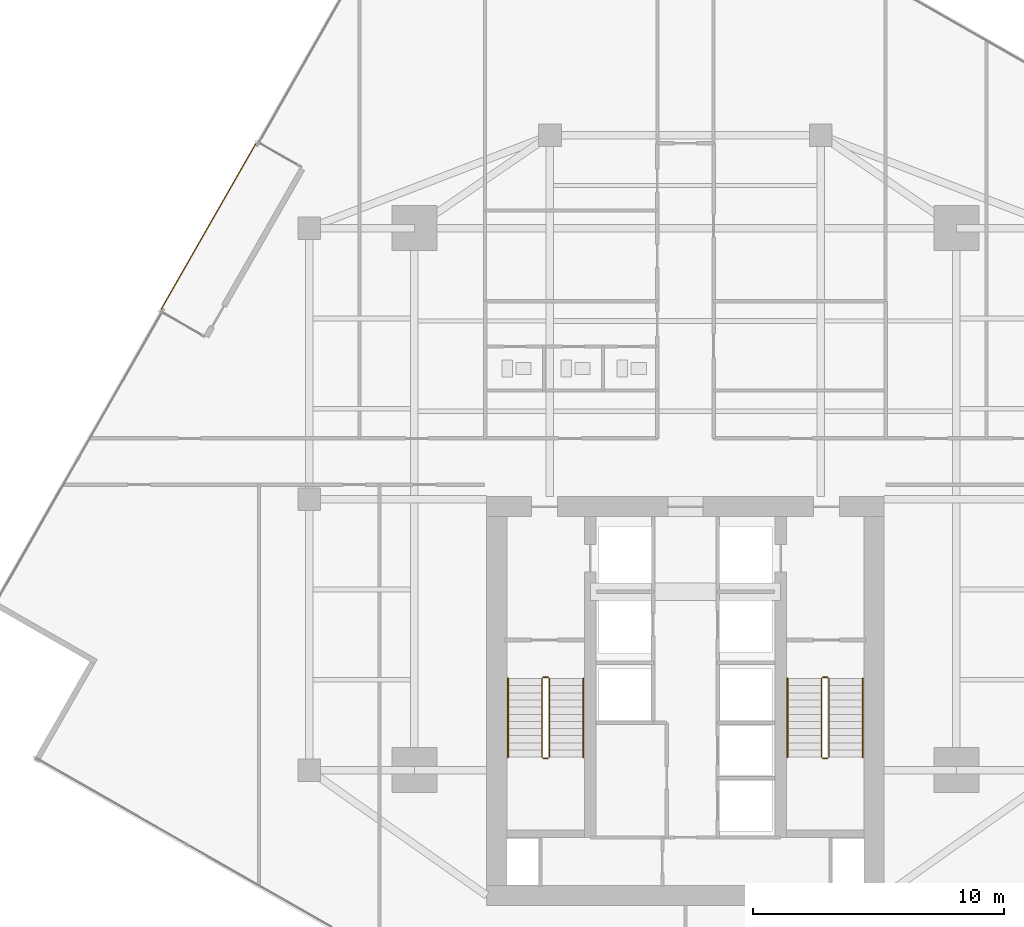
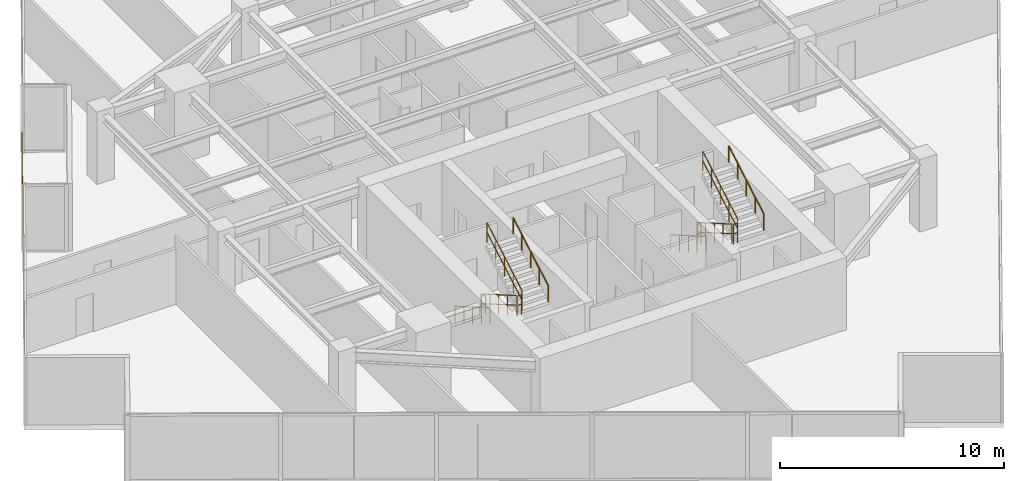
# One storey, part 23 of 24: 13 railings.
"""IFC4 building model written with IfcOpenShell, lengths in metres."""

from ifc_helpers import new_model, si_unit, direction, frame, origin, origin_2d, place, context, subcontext, project, spatial, circle, extrude, material, layer, layer_set, type_object, element, save


model = new_model("IFC4")

# Units and contexts
model_context = context("Model", 3, precision=1e-05, world=origin(), true_north=direction((0.0, 1.0)))
body_context = subcontext(model_context, "Body", "Model", "MODEL_VIEW")
ifc_project = project(units=[si_unit("LENGTHUNIT", "METRE"), si_unit("AREAUNIT", "SQUARE_METRE"), si_unit("VOLUMEUNIT", "CUBIC_METRE"), si_unit("PLANEANGLEUNIT", "RADIAN"), si_unit("MASSUNIT", "GRAM", prefix="KILO")], contexts=[model_context])

# Site, building, storey
site_placement = place(None, origin())
site = spatial("IfcSite", under=ifc_project, at=site_placement, CompositionType="ELEMENT")
building_placement = place(site_placement, origin())
building = spatial("IfcBuilding", under=site, at=building_placement, Name="Krantzveldt Concourse Tower", CompositionType="ELEMENT")
storey_placement = place(building_placement, frame((0.0, 0.0, 162.0)))
storey = spatial("IfcBuildingStorey", under=building, at=storey_placement, Name="L39", CompositionType="ELEMENT", Elevation=162.0)

# Railings
ifc_material = material(Name="Stainless steel 316L", Category="steel")
ifc_layer_1 = layer(ifc_material, 0.080078125, Name="Stainless steel 316L", Category="steel")
ifc_layer_set_1 = layer_set([ifc_layer_1], Name="Stainless steel 316L (RL-BALUSTRADE-1150)")
railing_type_1 = type_object("IfcRailingType", Name="RL-BALUSTRADE-1150", PredefinedType="BALUSTRADE", material=ifc_layer_set_1)
railing_1_placement = place(storey_placement, frame((18.8720703125, 40.8662109375, 0.0)))
element("IfcRailing", 1, at=railing_1_placement, inside=storey, type_object=railing_type_1, Name="GD-L39-CTER-01", PredefinedType="BALUSTRADE", context=body_context, shape_type="SweptSolid", body=[
    extrude(circle(Radius=0.02392578125, at=origin_2d()), frame((0.0, 0.0, 1.1259765625), z_axis=(-0.496225424633, -0.868193715681, 0.0), x_axis=(0.868193715681, -0.496225424633, 0.0)), (0.0, 0.0, 1.0), 7.599853515625),
    extrude(circle(Radius=0.02392578125, at=origin_2d()), frame((0.0, 0.0, 0.574951171875), z_axis=(-0.496225424633, -0.868193715681, 0.0), x_axis=(0.868193715681, -0.496225424633, 0.0)), (0.0, 0.0, 1.0), 7.599853515625),
    extrude(circle(Radius=0.02099609375, at=origin_2d()), origin(), (0.0, 0.0, 1.0), 1.101806640625),
    extrude(circle(Radius=0.02099609375, at=origin_2d()), frame((-0.538818359375, -0.942626953125, 0.0)), (0.0, 0.0, 1.0), 1.101806640625),
    extrude(circle(Radius=0.02099609375, at=origin_2d()), frame((-1.077392578125, -1.88525390625, 0.0)), (0.0, 0.0, 1.0), 1.101806640625),
    extrude(circle(Radius=0.02099609375, at=origin_2d()), frame((-1.6162109375, -2.827880859375, 0.0)), (0.0, 0.0, 1.0), 1.101806640625),
    extrude(circle(Radius=0.02099609375, at=origin_2d()), frame((-2.155029296875, -3.770263671875, 0.0)), (0.0, 0.0, 1.0), 1.101806640625),
    extrude(circle(Radius=0.02099609375, at=origin_2d()), frame((-2.69384765625, -4.712890625, 0.0)), (0.0, 0.0, 1.0), 1.101806640625),
    extrude(circle(Radius=0.02099609375, at=origin_2d()), frame((-3.232421875, -5.655517578125, 0.0)), (0.0, 0.0, 1.0), 1.101806640625),
    extrude(circle(Radius=0.02099609375, at=origin_2d()), frame((-3.771240234375, -6.59814453125, 0.0)), (0.0, 0.0, 1.0), 1.101806640625),
])
ifc_layer_2 = layer(ifc_material, 0.06005859375, Name="Stainless steel 316L", Category="steel")
ifc_layer_set_2 = layer_set([ifc_layer_2], Name="Stainless steel 316L (RL-GUARD-1120)")
railing_type_2 = type_object("IfcRailingType", Name="RL-GUARD-1120", PredefinedType="GUARDRAIL", material=ifc_layer_set_2)
railing_2_placement = place(storey_placement, frame((30.280029296875, 19.550048828125, 0.16455078125)))
element("IfcRailing", 2, at=railing_2_placement, inside=storey, type_object=railing_type_2, Name="L39 ST-1 stair guard 1", PredefinedType="GUARDRAIL", context=body_context, shape_type="SweptSolid", body=[
    extrude(circle(Radius=0.02392578125, at=origin_2d()), frame((0.0, 0.0, 1.076171875), z_axis=(0.0, -0.865959834175, 0.500113552702), x_axis=(1.0, 0.0, 0.0)), (0.0, 0.0, 1.0), 3.620361328125),
    extrude(circle(Radius=0.02392578125, at=origin_2d()), frame((0.0, 0.0, 0.550048828125), z_axis=(0.0, -0.865959834175, 0.500113552702), x_axis=(1.0, 0.0, 0.0)), (0.0, 0.0, 1.0), 3.620361328125),
    extrude(circle(Radius=0.02099609375, at=origin_2d()), origin(), (0.0, 0.0, 1.0), 1.052001953125),
    extrude(circle(Radius=0.02099609375, at=origin_2d()), frame((0.0, -0.78369140625, 0.45263671875)), (0.0, 0.0, 1.0), 1.052001953125),
    extrude(circle(Radius=0.02099609375, at=origin_2d()), frame((0.0, -1.5673828125, 0.9052734375)), (0.0, 0.0, 1.0), 1.052001953125),
    extrude(circle(Radius=0.02099609375, at=origin_2d()), frame((0.0, -2.351318359375, 1.35791015625)), (0.0, 0.0, 1.0), 1.052001953125),
    extrude(circle(Radius=0.02099609375, at=origin_2d()), frame((0.0, -3.135009765625, 1.810546875)), (0.0, 0.0, 1.0), 1.052001953125),
])
railing_3_placement = place(storey_placement, frame((30.330078125, 16.364990234375, 1.97509765625)))
element("IfcRailing", 3, at=railing_3_placement, inside=storey, type_object=railing_type_2, Name="L39 ST-1 stair guard 2", PredefinedType="GUARDRAIL", context=body_context, shape_type="SweptSolid", body=[
    extrude(circle(Radius=0.02392578125, at=origin_2d()), frame((0.0, 0.0, 1.076171875), z_axis=(1.0, 0.0, 0.0), x_axis=(0.0, 1.0, 0.0)), (0.0, 0.0, 1.0), 0.199951171875),
    extrude(circle(Radius=0.02392578125, at=origin_2d()), frame((0.0, 0.0, 0.550048828125), z_axis=(1.0, 0.0, 0.0), x_axis=(0.0, 1.0, 0.0)), (0.0, 0.0, 1.0), 0.199951171875),
    extrude(circle(Radius=0.02099609375, at=origin_2d()), origin(), (0.0, 0.0, 1.0), 1.052001953125),
    extrude(circle(Radius=0.02099609375, at=origin_2d()), frame((0.199951171875, 0.0, 0.0)), (0.0, 0.0, 1.0), 1.052001953125),
])
railing_4_placement = place(storey_placement, frame((30.580078125, 16.4150390625, 2.1396484375)))
element("IfcRailing", 4, at=railing_4_placement, inside=storey, type_object=railing_type_2, Name="L39 ST-1 stair guard 3", PredefinedType="GUARDRAIL", context=body_context, shape_type="SweptSolid", body=[
    extrude(circle(Radius=0.02392578125, at=origin_2d()), frame((0.0, 0.0, 1.076171875), z_axis=(0.0, 0.865989039225, 0.500062979975), x_axis=(-1.0, 0.0, 0.0)), (0.0, 0.0, 1.0), 3.6201171875),
    extrude(circle(Radius=0.02392578125, at=origin_2d()), frame((0.0, 0.0, 0.550048828125), z_axis=(0.0, 0.865989039225, 0.500062979975), x_axis=(-1.0, 0.0, 0.0)), (0.0, 0.0, 1.0), 3.6201171875),
    extrude(circle(Radius=0.02099609375, at=origin_2d()), origin(), (0.0, 0.0, 1.0), 1.052001953125),
    extrude(circle(Radius=0.02099609375, at=origin_2d()), frame((0.0, 0.78369140625, 0.45263671875)), (0.0, 0.0, 1.0), 1.052001953125),
    extrude(circle(Radius=0.02099609375, at=origin_2d()), frame((0.0, 1.5673828125, 0.9052734375)), (0.0, 0.0, 1.0), 1.052001953125),
    extrude(circle(Radius=0.02099609375, at=origin_2d()), frame((0.0, 2.351318359375, 1.357666015625)), (0.0, 0.0, 1.0), 1.052001953125),
    extrude(circle(Radius=0.02099609375, at=origin_2d()), frame((0.0, 3.135009765625, 1.810302734375)), (0.0, 0.0, 1.0), 1.052001953125),
])
railing_5_placement = place(storey_placement, frame((30.330078125, 19.60009765625, 0.0)))
element("IfcRailing", 5, at=railing_5_placement, inside=storey, type_object=railing_type_2, Name="L39 ST-1 stair guard 4", PredefinedType="GUARDRAIL", context=body_context, shape_type="SweptSolid", body=[
    extrude(circle(Radius=0.02392578125, at=origin_2d()), frame((0.0, 0.0, 1.076171875), z_axis=(1.0, 0.0, 0.0), x_axis=(0.0, 1.0, 0.0)), (0.0, 0.0, 1.0), 0.199951171875),
    extrude(circle(Radius=0.02392578125, at=origin_2d()), frame((0.0, 0.0, 0.550048828125), z_axis=(1.0, 0.0, 0.0), x_axis=(0.0, 1.0, 0.0)), (0.0, 0.0, 1.0), 0.199951171875),
    extrude(circle(Radius=0.02099609375, at=origin_2d()), origin(), (0.0, 0.0, 1.0), 1.052001953125),
    extrude(circle(Radius=0.02099609375, at=origin_2d()), frame((0.199951171875, 0.0, 0.0)), (0.0, 0.0, 1.0), 1.052001953125),
])
railing_6_placement = place(storey_placement, frame((41.419921875, 19.550048828125, 0.16455078125)))
element("IfcRailing", 6, at=railing_6_placement, inside=storey, type_object=railing_type_2, Name="L39 ST-2 stair guard 1", PredefinedType="GUARDRAIL", context=body_context, shape_type="SweptSolid", body=[
    extrude(circle(Radius=0.02392578125, at=origin_2d()), frame((0.0, 0.0, 1.076171875), z_axis=(0.0, -0.865959834175, 0.500113552702), x_axis=(1.0, 0.0, 0.0)), (0.0, 0.0, 1.0), 3.620361328125),
    extrude(circle(Radius=0.02392578125, at=origin_2d()), frame((0.0, 0.0, 0.550048828125), z_axis=(0.0, -0.865959834175, 0.500113552702), x_axis=(1.0, 0.0, 0.0)), (0.0, 0.0, 1.0), 3.620361328125),
    extrude(circle(Radius=0.02099609375, at=origin_2d()), origin(), (0.0, 0.0, 1.0), 1.052001953125),
    extrude(circle(Radius=0.02099609375, at=origin_2d()), frame((0.0, -0.78369140625, 0.45263671875)), (0.0, 0.0, 1.0), 1.052001953125),
    extrude(circle(Radius=0.02099609375, at=origin_2d()), frame((0.0, -1.5673828125, 0.9052734375)), (0.0, 0.0, 1.0), 1.052001953125),
    extrude(circle(Radius=0.02099609375, at=origin_2d()), frame((0.0, -2.351318359375, 1.35791015625)), (0.0, 0.0, 1.0), 1.052001953125),
    extrude(circle(Radius=0.02099609375, at=origin_2d()), frame((0.0, -3.135009765625, 1.810546875)), (0.0, 0.0, 1.0), 1.052001953125),
])
railing_7_placement = place(storey_placement, frame((41.469970703125, 16.364990234375, 1.97509765625)))
element("IfcRailing", 7, at=railing_7_placement, inside=storey, type_object=railing_type_2, Name="L39 ST-2 stair guard 2", PredefinedType="GUARDRAIL", context=body_context, shape_type="SweptSolid", body=[
    extrude(circle(Radius=0.02392578125, at=origin_2d()), frame((0.0, 0.0, 1.076171875), z_axis=(1.0, 0.0, 0.0), x_axis=(0.0, 1.0, 0.0)), (0.0, 0.0, 1.0), 0.199951171875),
    extrude(circle(Radius=0.02392578125, at=origin_2d()), frame((0.0, 0.0, 0.550048828125), z_axis=(1.0, 0.0, 0.0), x_axis=(0.0, 1.0, 0.0)), (0.0, 0.0, 1.0), 0.199951171875),
    extrude(circle(Radius=0.02099609375, at=origin_2d()), origin(), (0.0, 0.0, 1.0), 1.052001953125),
    extrude(circle(Radius=0.02099609375, at=origin_2d()), frame((0.199951171875, 0.0, 0.0)), (0.0, 0.0, 1.0), 1.052001953125),
])
railing_8_placement = place(storey_placement, frame((41.719970703125, 16.4150390625, 2.1396484375)))
element("IfcRailing", 8, at=railing_8_placement, inside=storey, type_object=railing_type_2, Name="L39 ST-2 stair guard 3", PredefinedType="GUARDRAIL", context=body_context, shape_type="SweptSolid", body=[
    extrude(circle(Radius=0.02392578125, at=origin_2d()), frame((0.0, 0.0, 1.076171875), z_axis=(0.0, 0.865989039225, 0.500062979975), x_axis=(-1.0, 0.0, 0.0)), (0.0, 0.0, 1.0), 3.6201171875),
    extrude(circle(Radius=0.02392578125, at=origin_2d()), frame((0.0, 0.0, 0.550048828125), z_axis=(0.0, 0.865989039225, 0.500062979975), x_axis=(-1.0, 0.0, 0.0)), (0.0, 0.0, 1.0), 3.6201171875),
    extrude(circle(Radius=0.02099609375, at=origin_2d()), origin(), (0.0, 0.0, 1.0), 1.052001953125),
    extrude(circle(Radius=0.02099609375, at=origin_2d()), frame((0.0, 0.78369140625, 0.45263671875)), (0.0, 0.0, 1.0), 1.052001953125),
    extrude(circle(Radius=0.02099609375, at=origin_2d()), frame((0.0, 1.5673828125, 0.9052734375)), (0.0, 0.0, 1.0), 1.052001953125),
    extrude(circle(Radius=0.02099609375, at=origin_2d()), frame((0.0, 2.351318359375, 1.357666015625)), (0.0, 0.0, 1.0), 1.052001953125),
    extrude(circle(Radius=0.02099609375, at=origin_2d()), frame((0.0, 3.135009765625, 1.810302734375)), (0.0, 0.0, 1.0), 1.052001953125),
])
railing_9_placement = place(storey_placement, frame((41.469970703125, 19.60009765625, 0.0)))
element("IfcRailing", 9, at=railing_9_placement, inside=storey, type_object=railing_type_2, Name="L39 ST-2 stair guard 4", PredefinedType="GUARDRAIL", context=body_context, shape_type="SweptSolid", body=[
    extrude(circle(Radius=0.02392578125, at=origin_2d()), frame((0.0, 0.0, 1.076171875), z_axis=(1.0, 0.0, 0.0), x_axis=(0.0, 1.0, 0.0)), (0.0, 0.0, 1.0), 0.199951171875),
    extrude(circle(Radius=0.02392578125, at=origin_2d()), frame((0.0, 0.0, 0.550048828125), z_axis=(1.0, 0.0, 0.0), x_axis=(0.0, 1.0, 0.0)), (0.0, 0.0, 1.0), 0.199951171875),
    extrude(circle(Radius=0.02099609375, at=origin_2d()), origin(), (0.0, 0.0, 1.0), 1.052001953125),
    extrude(circle(Radius=0.02099609375, at=origin_2d()), frame((0.199951171875, 0.0, 0.0)), (0.0, 0.0, 1.0), 1.052001953125),
])
ifc_layer_3 = layer(ifc_material, 0.050048828125, Name="Stainless steel 316L", Category="steel")
ifc_layer_set_3 = layer_set([ifc_layer_3], Name="Stainless steel 316L (RL-HANDRAIL-920)")
railing_type_3 = type_object("IfcRailingType", Name="RL-HANDRAIL-920", PredefinedType="HANDRAIL", material=ifc_layer_set_3)
railing_10_placement = place(storey_placement, frame((28.929931640625, 19.550048828125, 0.16455078125)))
element("IfcRailing", 10, at=railing_10_placement, inside=storey, type_object=railing_type_3, Name="L39 ST-1 stair handrail 1", PredefinedType="HANDRAIL", context=body_context, shape_type="SweptSolid", body=[
    extrude(circle(Radius=0.02392578125, at=origin_2d()), frame((0.0, 0.0, 0.8759765625), z_axis=(0.0, -0.865959834175, 0.500113552702), x_axis=(1.0, 0.0, 0.0)), (0.0, 0.0, 1.0), 3.620361328125),
    extrude(circle(Radius=0.02099609375, at=origin_2d()), origin(), (0.0, 0.0, 1.0), 0.851806640625),
    extrude(circle(Radius=0.02099609375, at=origin_2d()), frame((0.0, -0.78369140625, 0.45263671875)), (0.0, 0.0, 1.0), 0.851806640625),
    extrude(circle(Radius=0.02099609375, at=origin_2d()), frame((0.0, -1.5673828125, 0.9052734375)), (0.0, 0.0, 1.0), 0.851806640625),
    extrude(circle(Radius=0.02099609375, at=origin_2d()), frame((0.0, -2.351318359375, 1.35791015625)), (0.0, 0.0, 1.0), 0.851806640625),
    extrude(circle(Radius=0.02099609375, at=origin_2d()), frame((0.0, -3.135009765625, 1.810546875)), (0.0, 0.0, 1.0), 0.851806640625),
])
railing_11_placement = place(storey_placement, frame((31.929931640625, 16.4150390625, 2.1396484375)))
element("IfcRailing", 11, at=railing_11_placement, inside=storey, type_object=railing_type_3, Name="L39 ST-1 stair handrail 2", PredefinedType="HANDRAIL", context=body_context, shape_type="SweptSolid", body=[
    extrude(circle(Radius=0.02392578125, at=origin_2d()), frame((0.0, 0.0, 0.8759765625), z_axis=(0.0, 0.865989039225, 0.500062979975), x_axis=(-1.0, 0.0, 0.0)), (0.0, 0.0, 1.0), 3.6201171875),
    extrude(circle(Radius=0.02099609375, at=origin_2d()), origin(), (0.0, 0.0, 1.0), 0.851806640625),
    extrude(circle(Radius=0.02099609375, at=origin_2d()), frame((0.0, 0.78369140625, 0.45263671875)), (0.0, 0.0, 1.0), 0.851806640625),
    extrude(circle(Radius=0.02099609375, at=origin_2d()), frame((0.0, 1.5673828125, 0.9052734375)), (0.0, 0.0, 1.0), 0.851806640625),
    extrude(circle(Radius=0.02099609375, at=origin_2d()), frame((0.0, 2.351318359375, 1.357666015625)), (0.0, 0.0, 1.0), 0.851806640625),
    extrude(circle(Radius=0.02099609375, at=origin_2d()), frame((0.0, 3.135009765625, 1.810302734375)), (0.0, 0.0, 1.0), 0.851806640625),
])
railing_12_placement = place(storey_placement, frame((40.070068359375, 19.550048828125, 0.16455078125)))
element("IfcRailing", 12, at=railing_12_placement, inside=storey, type_object=railing_type_3, Name="L39 ST-2 stair handrail 1", PredefinedType="HANDRAIL", context=body_context, shape_type="SweptSolid", body=[
    extrude(circle(Radius=0.02392578125, at=origin_2d()), frame((0.0, 0.0, 0.8759765625), z_axis=(0.0, -0.865959834175, 0.500113552702), x_axis=(1.0, 0.0, 0.0)), (0.0, 0.0, 1.0), 3.620361328125),
    extrude(circle(Radius=0.02099609375, at=origin_2d()), origin(), (0.0, 0.0, 1.0), 0.851806640625),
    extrude(circle(Radius=0.02099609375, at=origin_2d()), frame((0.0, -0.78369140625, 0.45263671875)), (0.0, 0.0, 1.0), 0.851806640625),
    extrude(circle(Radius=0.02099609375, at=origin_2d()), frame((0.0, -1.5673828125, 0.9052734375)), (0.0, 0.0, 1.0), 0.851806640625),
    extrude(circle(Radius=0.02099609375, at=origin_2d()), frame((0.0, -2.351318359375, 1.35791015625)), (0.0, 0.0, 1.0), 0.851806640625),
    extrude(circle(Radius=0.02099609375, at=origin_2d()), frame((0.0, -3.135009765625, 1.810546875)), (0.0, 0.0, 1.0), 0.851806640625),
])
railing_13_placement = place(storey_placement, frame((43.070068359375, 16.4150390625, 2.1396484375)))
element("IfcRailing", 13, at=railing_13_placement, inside=storey, type_object=railing_type_3, Name="L39 ST-2 stair handrail 2", PredefinedType="HANDRAIL", context=body_context, shape_type="SweptSolid", body=[
    extrude(circle(Radius=0.02392578125, at=origin_2d()), frame((0.0, 0.0, 0.8759765625), z_axis=(0.0, 0.865989039225, 0.500062979975), x_axis=(-1.0, 0.0, 0.0)), (0.0, 0.0, 1.0), 3.6201171875),
    extrude(circle(Radius=0.02099609375, at=origin_2d()), origin(), (0.0, 0.0, 1.0), 0.851806640625),
    extrude(circle(Radius=0.02099609375, at=origin_2d()), frame((0.0, 0.78369140625, 0.45263671875)), (0.0, 0.0, 1.0), 0.851806640625),
    extrude(circle(Radius=0.02099609375, at=origin_2d()), frame((0.0, 1.5673828125, 0.9052734375)), (0.0, 0.0, 1.0), 0.851806640625),
    extrude(circle(Radius=0.02099609375, at=origin_2d()), frame((0.0, 2.351318359375, 1.357666015625)), (0.0, 0.0, 1.0), 0.851806640625),
    extrude(circle(Radius=0.02099609375, at=origin_2d()), frame((0.0, 3.135009765625, 1.810302734375)), (0.0, 0.0, 1.0), 0.851806640625),
])

save(model, "model.ifc")
